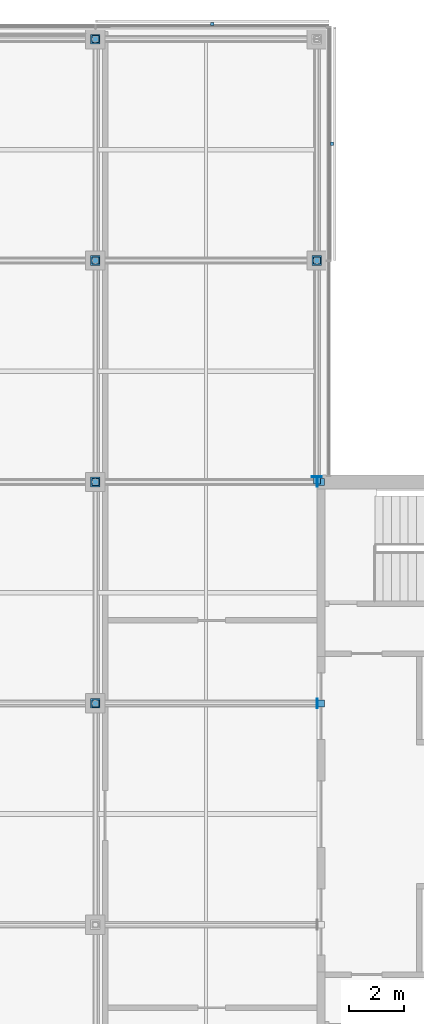
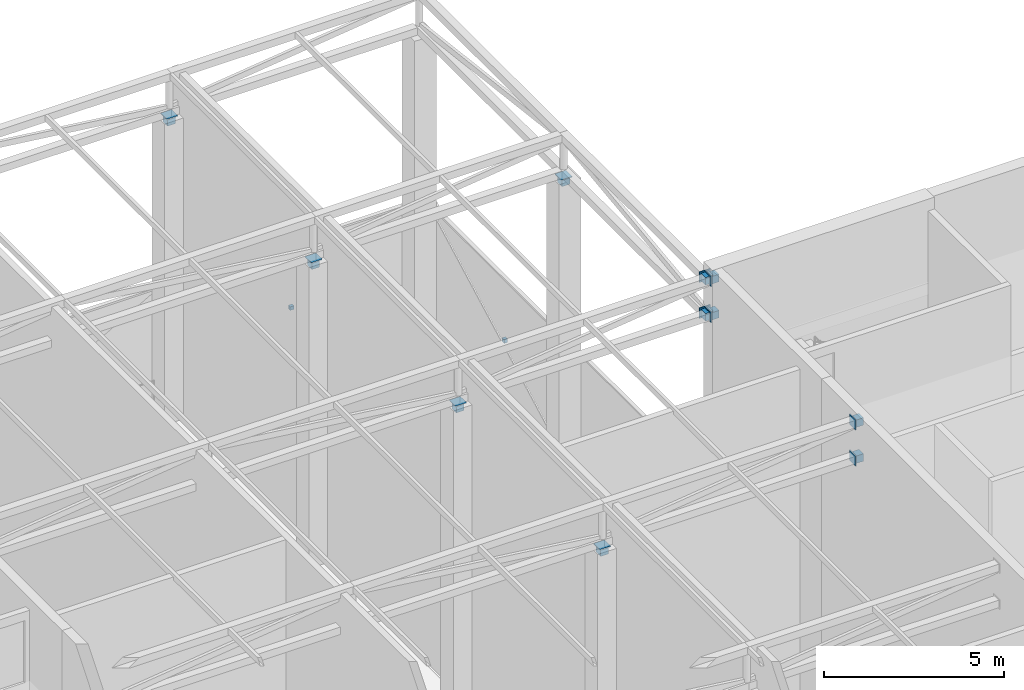
# One storey, part 20 of 23: 24 discrete accessories.
"""IFC4 building model written with IfcOpenShell, lengths in metres."""

from ifc_helpers import new_model, si_unit, direction, frame, origin, origin_2d, place, context, subcontext, project, spatial, rectangle, extrude, material, layer, layer_set, type_object, element, save


model = new_model("IFC4")

# Units and contexts
model_context = context("Model", 3, precision=1e-05, world=origin(), true_north=direction((0.0, 1.0)))
body_context = subcontext(model_context, "Body", "Model", "MODEL_VIEW")
ifc_project = project(units=[si_unit("LENGTHUNIT", "METRE"), si_unit("AREAUNIT", "SQUARE_METRE"), si_unit("VOLUMEUNIT", "CUBIC_METRE"), si_unit("PLANEANGLEUNIT", "RADIAN"), si_unit("MASSUNIT", "GRAM", prefix="KILO")], contexts=[model_context])

# Site, building, storey
site_placement = place(None, origin())
site = spatial("IfcSite", under=ifc_project, at=site_placement, CompositionType="ELEMENT")
building_placement = place(site_placement, origin())
building = spatial("IfcBuilding", under=site, at=building_placement, Name="Crosswind Convention Tower", CompositionType="ELEMENT")
storey_placement = place(building_placement, frame((0.0, 0.0, 349.10009765625)))
storey = spatial("IfcBuildingStorey", under=building, at=storey_placement, Name="L76", CompositionType="ELEMENT", Elevation=349.10009765625)

# Discrete accessories
ifc_material_1 = material(Name="Stainless steel", Category="steel")
discrete_accessory_type_1 = type_object("IfcDiscreteAccessoryType", Name="BAGUETTE BRACKET BK5", PredefinedType="BRACKET", material=ifc_material_1)
for number, where, z_axis, x_axis, name in (
    (1, (137.552001953125, 124.219970703125, 1.8349609375), (0.0, 0.0, 1.0), (0.0, 1.0, 0.0), "BK5 baguette bracket"),
    (2, (133.219970703125, 128.552001953125, 1.8349609375), (0.0, 0.0, 1.0), (-1.0, 0.0, 0.0), "BK5 baguette bracket"),
):
    element("IfcDiscreteAccessory", number, at=place(storey_placement, frame(where, z_axis=z_axis, x_axis=x_axis)), inside=storey, type_object=discrete_accessory_type_1, Name=name, PredefinedType="BRACKET", context=body_context, shape_type="SweptSolid", body=[
        extrude(rectangle(XDim=0.1201171875, YDim=0.10009765625, at=origin_2d()), origin(), (0.0, 0.0, 1.0), 0.1201171875),
    ])
ifc_material_2 = material(Name="Steel S355", Category="steel")
ifc_layer = layer(ifc_material_2, 0.030029296875)
ifc_layer_set = layer_set([ifc_layer], Name="Steel S355")
discrete_accessory_type_2 = type_object("IfcDiscreteAccessoryType", Name="Cast-in plate 350 x 350 x 30", PredefinedType="ANCHORPLATE", material=ifc_layer_set)
for number, where, z_axis, x_axis, name in (
    (3, (137.014892578125, 104.0, 10.179931640625), (0.0, 0.0, 1.0), (1.0, 0.0, 0.0), "EP5 L76 cast-in plate"),
    (4, (137.014892578125, 104.0, 11.39990234375), (0.0, 0.0, 1.0), (1.0, 0.0, 0.0), "EP5 L76 cast-in plate"),
    (5, (137.014892578125, 112.0, 10.179931640625), (0.0, 0.0, 1.0), (1.0, 0.0, 0.0), "EP5 L76 cast-in plate"),
    (6, (137.014892578125, 112.0, 11.39990234375), (0.0, 0.0, 1.0), (1.0, 0.0, 0.0), "EP5 L76 cast-in plate"),
):
    element("IfcDiscreteAccessory", number, at=place(storey_placement, frame(where, z_axis=z_axis, x_axis=x_axis)), inside=storey, type_object=discrete_accessory_type_2, Name=name, PredefinedType="ANCHORPLATE", context=body_context, shape_type="SweptSolid", body=[
        extrude(rectangle(XDim=0.030029296875, YDim=0.35009765625, at=origin_2d()), origin(), (0.0, 0.0, 1.0), 0.35009765625),
    ])
for number, where, z_axis, x_axis, name in (
    (7, (137.0, 112.18505859375, 10.179931640625), (0.0, 0.0, 1.0), (1.0, 0.0, 0.0), "EP5 L76 cast-in plate"),
    (8, (137.0, 112.18505859375, 11.39990234375), (0.0, 0.0, 1.0), (1.0, 0.0, 0.0), "EP5 L76 cast-in plate"),
):
    element("IfcDiscreteAccessory", number, at=place(storey_placement, frame(where, z_axis=z_axis, x_axis=x_axis)), inside=storey, type_object=discrete_accessory_type_2, Name=name, PredefinedType="ANCHORPLATE", context=body_context, shape_type="SweptSolid", body=[
        extrude(rectangle(XDim=0.35009765625, YDim=0.030029296875, at=origin_2d()), origin(), (0.0, 0.0, 1.0), 0.35009765625),
    ])
for number, where, z_axis, x_axis, name in (
    (9, (129.0, 104.0, 10.19970703125), (0.0, 0.0, 1.0), (1.0, 0.0, 0.0), "EP5 L76 cast-in plate on column head"),
    (10, (129.0, 112.0, 10.19970703125), (0.0, 0.0, 1.0), (1.0, 0.0, 0.0), "EP5 L76 cast-in plate on column head"),
    (11, (129.0, 120.0, 10.19970703125), (0.0, 0.0, 1.0), (1.0, 0.0, 0.0), "EP5 L76 cast-in plate on column head"),
    (12, (129.0, 128.0, 10.19970703125), (0.0, 0.0, 1.0), (1.0, 0.0, 0.0), "EP5 L76 cast-in plate on column head"),
    (13, (137.0, 120.0, 10.19970703125), (0.0, 0.0, 1.0), (1.0, 0.0, 0.0), "EP5 L76 cast-in plate on column head"),
):
    element("IfcDiscreteAccessory", number, at=place(storey_placement, frame(where, z_axis=z_axis, x_axis=x_axis)), inside=storey, type_object=discrete_accessory_type_2, Name=name, PredefinedType="ANCHORPLATE", context=body_context, shape_type="SweptSolid", body=[
        extrude(rectangle(XDim=0.35009765625, YDim=0.35009765625, at=origin_2d()), origin(), (0.0, 0.0, 1.0), 0.030029296875),
    ])
discrete_accessory_type_3 = type_object("IfcDiscreteAccessoryType", Name="Headed stud group 250 x 250 x 250", PredefinedType="USERDEFINED", material=ifc_material_2)
for number, where, z_axis, x_axis, name in (
    (14, (137.155029296875, 104.0, 10.22998046875), (0.0, 0.0, 1.0), (1.0, 0.0, 0.0), "AB5 L76 headed stud group"),
    (15, (137.155029296875, 104.0, 11.449951171875), (0.0, 0.0, 1.0), (1.0, 0.0, 0.0), "AB5 L76 headed stud group"),
    (16, (137.155029296875, 112.0, 10.22998046875), (0.0, 0.0, 1.0), (1.0, 0.0, 0.0), "AB5 L76 headed stud group"),
    (17, (137.155029296875, 112.0, 11.449951171875), (0.0, 0.0, 1.0), (1.0, 0.0, 0.0), "AB5 L76 headed stud group"),
    (18, (137.0, 112.044921875, 10.22998046875), (0.0, 0.0, 1.0), (1.0, 0.0, 0.0), "AB5 L76 headed stud group"),
    (19, (137.0, 112.044921875, 11.449951171875), (0.0, 0.0, 1.0), (1.0, 0.0, 0.0), "AB5 L76 headed stud group"),
    (20, (129.0, 104.0, 9.949951171875), (0.0, 0.0, 1.0), (1.0, 0.0, 0.0), "AB5 L76 headed stud group in column head"),
    (21, (129.0, 112.0, 9.949951171875), (0.0, 0.0, 1.0), (1.0, 0.0, 0.0), "AB5 L76 headed stud group in column head"),
    (22, (129.0, 120.0, 9.949951171875), (0.0, 0.0, 1.0), (1.0, 0.0, 0.0), "AB5 L76 headed stud group in column head"),
    (23, (129.0, 128.0, 9.949951171875), (0.0, 0.0, 1.0), (1.0, 0.0, 0.0), "AB5 L76 headed stud group in column head"),
    (24, (137.0, 120.0, 9.949951171875), (0.0, 0.0, 1.0), (1.0, 0.0, 0.0), "AB5 L76 headed stud group in column head"),
):
    element("IfcDiscreteAccessory", number, at=place(storey_placement, frame(where, z_axis=z_axis, x_axis=x_axis)), inside=storey, type_object=discrete_accessory_type_3, Name=name, ObjectType="HEADED STUD GROUP", PredefinedType="USERDEFINED", context=body_context, shape_type="SweptSolid", body=[
        extrude(rectangle(XDim=0.25, YDim=0.25, at=origin_2d()), origin(), (0.0, 0.0, 1.0), 0.25),
    ])

save(model, "model.ifc")
